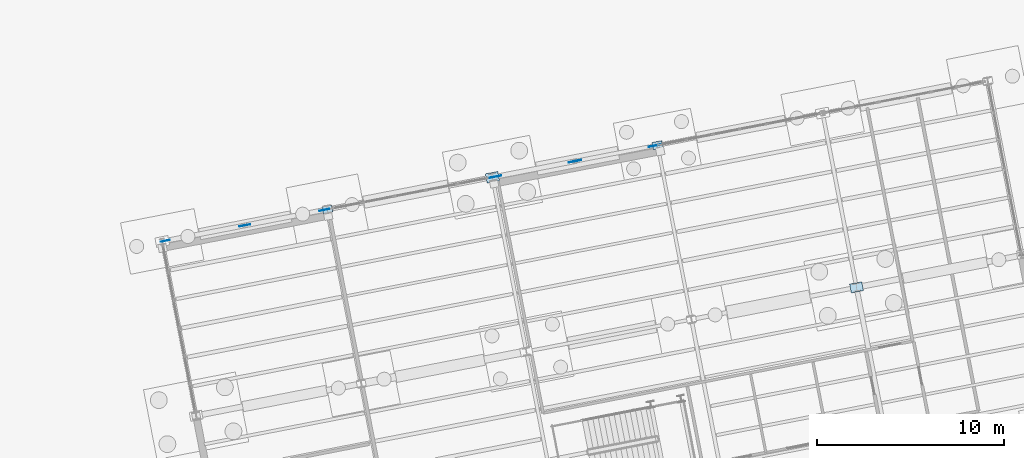
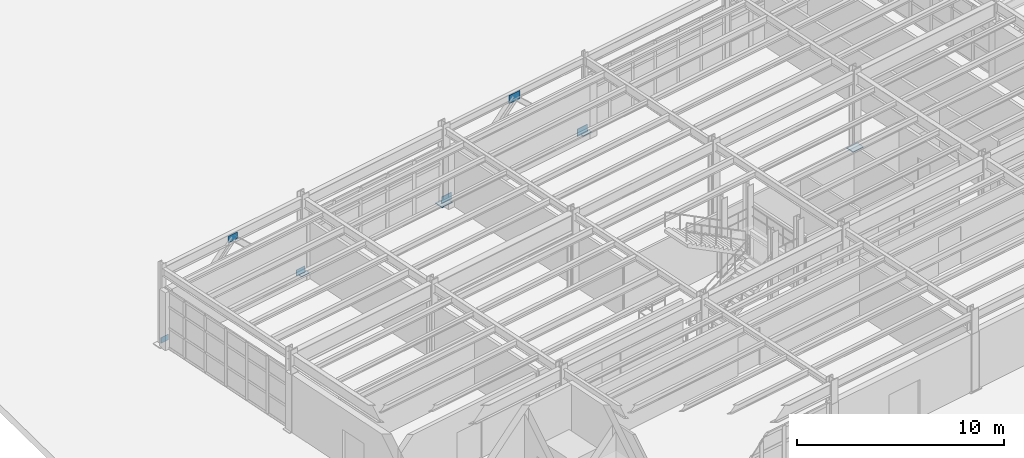
# One storey, part 72 of 108: 10 plates.
"""IFC4 building model written with IfcOpenShell, lengths in metres."""

from ifc_helpers import new_model, si_unit, direction, frame, origin, origin_2d, place, context, subcontext, project, spatial, rectangle, extrude, material, layer, layer_set, type_object, element, save


model = new_model("IFC4")

# Units and contexts
model_context = context("Model", 3, precision=1e-05, world=origin(), true_north=direction((0.0, 1.0)))
body_context = subcontext(model_context, "Body", "Model", "MODEL_VIEW")
ifc_project = project(units=[si_unit("LENGTHUNIT", "METRE"), si_unit("AREAUNIT", "SQUARE_METRE"), si_unit("VOLUMEUNIT", "CUBIC_METRE"), si_unit("PLANEANGLEUNIT", "RADIAN"), si_unit("MASSUNIT", "GRAM", prefix="KILO")], contexts=[model_context])

# Site, building, storey
site_placement = place(None, origin())
site = spatial("IfcSite", under=ifc_project, at=site_placement, CompositionType="ELEMENT")
building_placement = place(site_placement, origin())
building = spatial("IfcBuilding", under=site, at=building_placement, Name="Vireo Bluff Cable Station", CompositionType="ELEMENT")
storey_placement = place(building_placement, origin())
storey = spatial("IfcBuildingStorey", under=building, at=storey_placement, Name="L00", CompositionType="ELEMENT", Elevation=0.0)

# Plates
ifc_material = material(Name="Steel ASTM A572 Gr. 50", Category="steel")
ifc_layer_1 = layer(ifc_material, 0.028076171875, Name="Steel ASTM A572 Gr. 50")
ifc_layer_set_1 = layer_set([ifc_layer_1], Name="Steel ASTM A572 Gr. 50")
plate_type_1 = type_object("IfcPlateType", Name="BASEPLATE-520X380X28", PredefinedType="SHEET", material=ifc_layer_set_1)
plate_1_placement = place(storey_placement, frame((12.896484375, 35.193603515625, 0.0), z_axis=(0.0, 0.0, 1.0), x_axis=(0.981627183448, 0.190808995377, 0.0)))
element("IfcPlate", 1, at=plate_1_placement, inside=storey, type_object=plate_type_1, Name="V5 column baseplate 225", PredefinedType="SHEET", context=body_context, shape_type="SweptSolid", body=[
    extrude(rectangle(XDim=0.52001953125, YDim=0.3798828125, at=origin_2d()), origin(), (0.0, 0.0, 1.0), 0.028076171875),
])
ifc_layer_2 = layer(ifc_material, 0.030029296875, Name="Steel ASTM A572 Gr. 50")
ifc_layer_set_2 = layer_set([ifc_layer_2], Name="Steel ASTM A572 Gr. 50")
plate_type_2 = type_object("IfcPlateType", Name="BASEPLATE-540X390X30", PredefinedType="SHEET", material=ifc_layer_set_2)
plate_2_placement = place(storey_placement, frame((30.56591796875, 38.628173828125, 0.0), z_axis=(0.0, 0.0, 1.0), x_axis=(0.981627183448, 0.190808995377, 0.0)))
element("IfcPlate", 2, at=plate_2_placement, inside=storey, type_object=plate_type_2, Name="V5 column baseplate 233", PredefinedType="SHEET", context=body_context, shape_type="SweptSolid", body=[
    extrude(rectangle(XDim=0.5400390625, YDim=0.389892578125, at=origin_2d()), origin(), (0.0, 0.0, 1.0), 0.030029296875),
])
ifc_layer_3 = layer(ifc_material, 0.041015625, Name="Steel ASTM A572 Gr. 50")
ifc_layer_set_3 = layer_set([ifc_layer_3], Name="Steel ASTM A572 Gr. 50")
plate_type_3 = type_object("IfcPlateType", Name="BASEPLATE-660X480X41", PredefinedType="SHEET", material=ifc_layer_set_3)
plate_3_placement = place(storey_placement, frame((41.213134765625, 31.02001953125, 0.0), z_axis=(0.0, 0.0, 1.0), x_axis=(0.981627183448, 0.190808995377, 0.0)))
element("IfcPlate", 3, at=plate_3_placement, inside=storey, type_object=plate_type_3, Name="V5 column baseplate 236", PredefinedType="SHEET", context=body_context, shape_type="SweptSolid", body=[
    extrude(rectangle(XDim=0.659912109375, YDim=0.47998046875, at=origin_2d()), origin(), (0.0, 0.0, 1.0), 0.041015625),
])
ifc_layer_4 = layer(ifc_material, 0.0419921875, Name="Steel ASTM A572 Gr. 50")
ifc_layer_set_4 = layer_set([ifc_layer_4], Name="Steel ASTM A572 Gr. 50")
plate_type_4 = type_object("IfcPlateType", Name="BASEPLATE-680X500X42", PredefinedType="SHEET", material=ifc_layer_set_4)
plate_4_placement = place(storey_placement, frame((21.731201171875, 36.910888671875, 0.0), z_axis=(0.0, 0.0, 1.0), x_axis=(0.981627183448, 0.190808995377, 0.0)))
element("IfcPlate", 4, at=plate_4_placement, inside=storey, type_object=plate_type_4, Name="V5 column baseplate 229", PredefinedType="SHEET", context=body_context, shape_type="SweptSolid", body=[
    extrude(rectangle(XDim=0.679931640625, YDim=0.5, at=origin_2d()), origin(), (0.0, 0.0, 1.0), 0.0419921875),
])
ifc_layer_5 = layer(ifc_material, 0.02001953125, Name="Steel ASTM A572 Gr. 50")
ifc_layer_set_5 = layer_set([ifc_layer_5], Name="Steel ASTM A572 Gr. 50")
plate_type_5 = type_object("IfcPlateType", Name="GUSSET-500X340X20", PredefinedType="USERDEFINED", material=ifc_layer_set_5)
plate_5_placement = place(storey_placement, frame((4.218994140625, 33.5068359375, 0.0498046875), z_axis=(0.0, 0.0, 1.0), x_axis=(0.981627183448, 0.190808995377, 0.0)))
element("IfcPlate", 5, at=plate_5_placement, inside=storey, type_object=plate_type_5, Name="V5 L00 brace base gusset plate 242", ObjectType="GUSSET PLATE", PredefinedType="USERDEFINED", context=body_context, shape_type="SweptSolid", body=[
    extrude(rectangle(XDim=0.5, YDim=0.02001953125, at=origin_2d()), origin(), (0.0, 0.0, 1.0), 0.340087890625),
])
ifc_layer_6 = layer(ifc_material, 0.02197265625, Name="Steel ASTM A572 Gr. 50")
ifc_layer_set_6 = layer_set([ifc_layer_6], Name="Steel ASTM A572 Gr. 50")
plate_type_6 = type_object("IfcPlateType", Name="GUSSET-540X360X22", PredefinedType="USERDEFINED", material=ifc_layer_set_6)
plate_6_placement = place(storey_placement, frame((12.739501953125, 35.1630859375, 0.0400390625), z_axis=(0.0, 0.0, 1.0), x_axis=(0.981627183448, 0.190808995377, 0.0)))
element("IfcPlate", 6, at=plate_6_placement, inside=storey, type_object=plate_type_6, Name="V5 L00 brace base gusset plate 243", ObjectType="GUSSET PLATE", PredefinedType="USERDEFINED", context=body_context, shape_type="SweptSolid", body=[
    extrude(rectangle(XDim=0.5400390625, YDim=0.02197265625, at=origin_2d()), origin(), (0.0, 0.0, 1.0), 0.360107421875),
])
ifc_layer_7 = layer(ifc_material, 0.02392578125, Name="Steel ASTM A572 Gr. 50")
ifc_layer_set_7 = layer_set([ifc_layer_7], Name="Steel ASTM A572 Gr. 50")
plate_type_7 = type_object("IfcPlateType", Name="GUSSET-580X400X24", PredefinedType="USERDEFINED", material=ifc_layer_set_7)
plate_7_placement = place(storey_placement, frame((8.479248046875, 34.3349609375, 3.97998046875), z_axis=(0.0, 0.0, 1.0), x_axis=(0.981627183448, 0.190808995377, 0.0)))
element("IfcPlate", 7, at=plate_7_placement, inside=storey, type_object=plate_type_7, Name="V5 L00 chevron gusset plate 244", ObjectType="GUSSET PLATE", PredefinedType="USERDEFINED", context=body_context, shape_type="SweptSolid", body=[
    extrude(rectangle(XDim=0.580078125, YDim=0.02392578125, at=origin_2d()), origin(), (0.0, 0.0, 1.0), 0.39990234375),
])
ifc_layer_8 = layer(ifc_material, 0.02490234375, Name="Steel ASTM A572 Gr. 50")
ifc_layer_set_8 = layer_set([ifc_layer_8], Name="Steel ASTM A572 Gr. 50")
plate_type_8 = type_object("IfcPlateType", Name="GUSSET-620X420X25", PredefinedType="USERDEFINED", material=ifc_layer_set_8)
plate_8_placement = place(storey_placement, frame((21.88818359375, 36.94140625, 0.010009765625), z_axis=(0.0, 0.0, 1.0), x_axis=(0.981627183448, 0.190808995377, 0.0)))
element("IfcPlate", 8, at=plate_8_placement, inside=storey, type_object=plate_type_8, Name="V5 L00 brace base gusset plate 245", ObjectType="GUSSET PLATE", PredefinedType="USERDEFINED", context=body_context, shape_type="SweptSolid", body=[
    extrude(rectangle(XDim=0.6201171875, YDim=0.02490234375, at=origin_2d()), origin(), (0.0, 0.0, 1.0), 0.419921875),
])
ifc_layer_9 = layer(ifc_material, 0.028076171875, Name="Steel ASTM A572 Gr. 50")
ifc_layer_set_9 = layer_set([ifc_layer_9], Name="Steel ASTM A572 Gr. 50")
plate_type_9 = type_object("IfcPlateType", Name="GUSSET-660X450X28", PredefinedType="USERDEFINED", material=ifc_layer_set_9)
plate_9_placement = place(storey_placement, frame((30.408935546875, 38.59765625, -0.0048828125), z_axis=(0.0, 0.0, 1.0), x_axis=(0.981627183448, 0.190808995377, 0.0)))
element("IfcPlate", 9, at=plate_9_placement, inside=storey, type_object=plate_type_9, Name="V5 L00 brace base gusset plate 246", ObjectType="GUSSET PLATE", PredefinedType="USERDEFINED", context=body_context, shape_type="SweptSolid", body=[
    extrude(rectangle(XDim=0.659912109375, YDim=0.028076171875, at=origin_2d()), origin(), (0.0, 0.0, 1.0), 0.449951171875),
])
ifc_layer_10 = layer(ifc_material, 0.030029296875, Name="Steel ASTM A572 Gr. 50")
ifc_layer_set_10 = layer_set([ifc_layer_10], Name="Steel ASTM A572 Gr. 50")
plate_type_10 = type_object("IfcPlateType", Name="GUSSET-700X480X30", PredefinedType="USERDEFINED", material=ifc_layer_set_10)
plate_10_placement = place(storey_placement, frame((26.1484375, 37.76953125, 3.93994140625), z_axis=(0.0, 0.0, 1.0), x_axis=(0.981627183448, 0.190808995377, 0.0)))
element("IfcPlate", 10, at=plate_10_placement, inside=storey, type_object=plate_type_10, Name="V5 L00 chevron gusset plate 247", ObjectType="GUSSET PLATE", PredefinedType="USERDEFINED", context=body_context, shape_type="SweptSolid", body=[
    extrude(rectangle(XDim=0.699951171875, YDim=0.030029296875, at=origin_2d()), origin(), (0.0, 0.0, 1.0), 0.47998046875),
])

save(model, "model.ifc")
